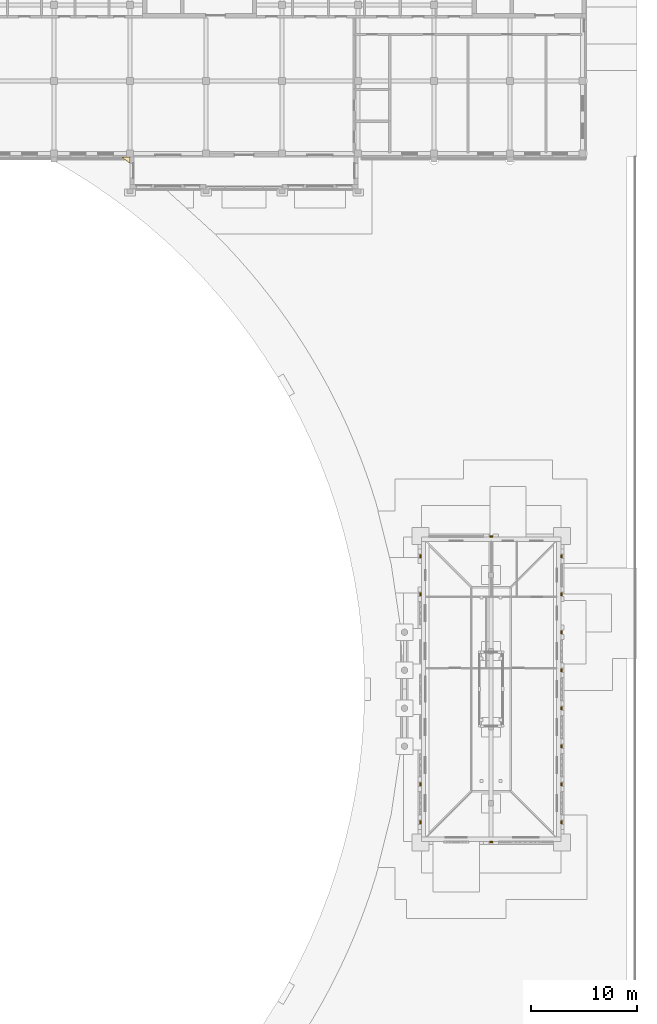
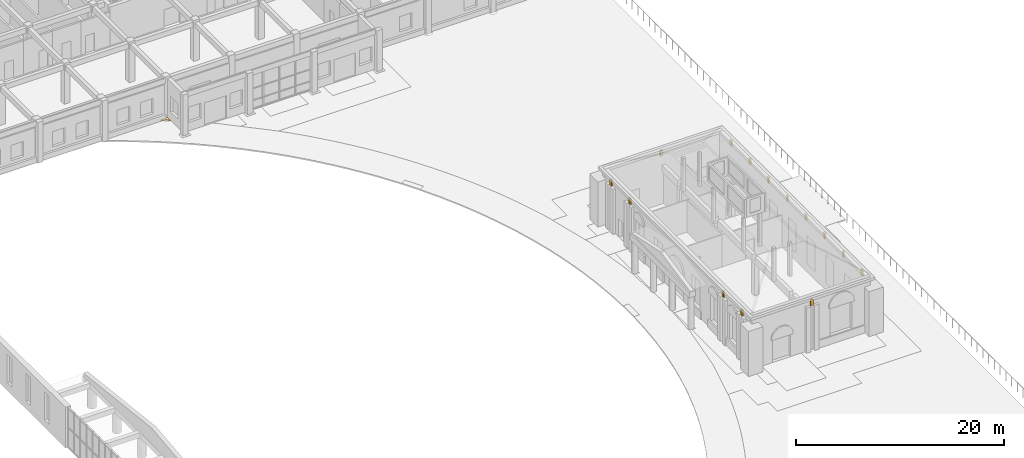
# One storey, part 131 of 131: 15 coverings.
"""IFC4 building model written with IfcOpenShell, lengths in metres."""

from ifc_helpers import new_model, si_unit, direction, frame, origin, place, context, subcontext, project, spatial, polyline, outline, extrude, material, layer, layer_set, type_object, element, save


model = new_model("IFC4")

# Units and contexts
model_context = context("Model", 3, precision=1e-05, world=origin(), true_north=direction((0.0, 1.0)))
body_context = subcontext(model_context, "Body", "Model", "MODEL_VIEW")
ifc_project = project(units=[si_unit("LENGTHUNIT", "METRE"), si_unit("AREAUNIT", "SQUARE_METRE"), si_unit("VOLUMEUNIT", "CUBIC_METRE"), si_unit("PLANEANGLEUNIT", "RADIAN"), si_unit("MASSUNIT", "GRAM", prefix="KILO")], contexts=[model_context])

# Site, building, storey
site_placement = place(None, origin())
site = spatial("IfcSite", under=ifc_project, at=site_placement, CompositionType="ELEMENT")
building_placement = place(site_placement, origin())
building = spatial("IfcBuilding", under=site, at=building_placement, Name="Alderwick Market Hall", CompositionType="ELEMENT")
storey_placement = place(building_placement, frame((0.0, 0.0, 4.800048828125)))
storey = spatial("IfcBuildingStorey", under=building, at=storey_placement, Name="L00", CompositionType="ELEMENT", Elevation=4.800048828125)

# Coverings
ifc_material_1 = material(Name="Cast stone 5000 psi", Category="masonry")
ifc_layer_1 = layer(ifc_material_1, 0.14990234375)
ifc_layer_set_1 = layer_set([ifc_layer_1], Name="Cast stone 5000 psi")
covering_type_1 = type_object("IfcCoveringType", Name="G Cornice bracket", PredefinedType="CLADDING", material=ifc_layer_set_1)
covering_1_placement = place(storey_placement, frame((0.0, 0.0, 5.300048828125)))
element("IfcCovering", 1, at=covering_1_placement, inside=storey, type_object=covering_type_1, Name="Cornice bracket W1", PredefinedType="CLADDING", context=body_context, shape_type="SweptSolid", body=[
    extrude(outline(polyline([(214.64990234375, 66.449951171875), (214.800048828125, 66.449951171875), (214.800048828125, 66.75), (214.64990234375, 66.75), (214.64990234375, 66.449951171875)])), origin(), (0.0, 0.0, 1.0), 0.699951171875),
])
covering_2_placement = place(storey_placement, frame((0.0, 0.0, 5.300048828125)))
element("IfcCovering", 2, at=covering_2_placement, inside=storey, type_object=covering_type_1, Name="Cornice bracket W2", PredefinedType="CLADDING", context=body_context, shape_type="SweptSolid", body=[
    extrude(outline(polyline([(214.64990234375, 70.050048828125), (214.800048828125, 70.050048828125), (214.800048828125, 70.35009765625), (214.64990234375, 70.35009765625), (214.64990234375, 70.050048828125)])), origin(), (0.0, 0.0, 1.0), 0.699951171875),
])
covering_3_placement = place(storey_placement, frame((0.0, 0.0, 5.300048828125)))
element("IfcCovering", 3, at=covering_3_placement, inside=storey, type_object=covering_type_1, Name="Cornice bracket W7", PredefinedType="CLADDING", context=body_context, shape_type="SweptSolid", body=[
    extrude(outline(polyline([(214.64990234375, 88.050048828125), (214.800048828125, 88.050048828125), (214.800048828125, 88.35009765625), (214.64990234375, 88.35009765625), (214.64990234375, 88.050048828125)])), origin(), (0.0, 0.0, 1.0), 0.699951171875),
])
covering_4_placement = place(storey_placement, frame((0.0, 0.0, 5.300048828125)))
element("IfcCovering", 4, at=covering_4_placement, inside=storey, type_object=covering_type_1, Name="Cornice bracket W8", PredefinedType="CLADDING", context=body_context, shape_type="SweptSolid", body=[
    extrude(outline(polyline([(214.64990234375, 91.64990234375), (214.800048828125, 91.64990234375), (214.800048828125, 91.949951171875), (214.64990234375, 91.949951171875), (214.64990234375, 91.64990234375)])), origin(), (0.0, 0.0, 1.0), 0.699951171875),
])
covering_5_placement = place(storey_placement, frame((0.0, 0.0, 5.300048828125)))
element("IfcCovering", 5, at=covering_5_placement, inside=storey, type_object=covering_type_1, Name="Cornice bracket E1", PredefinedType="CLADDING", context=body_context, shape_type="SweptSolid", body=[
    extrude(outline(polyline([(228.0, 66.449951171875), (228.14990234375, 66.449951171875), (228.14990234375, 66.75), (228.0, 66.75), (228.0, 66.449951171875)])), origin(), (0.0, 0.0, 1.0), 0.699951171875),
])
covering_6_placement = place(storey_placement, frame((0.0, 0.0, 5.300048828125)))
element("IfcCovering", 6, at=covering_6_placement, inside=storey, type_object=covering_type_1, Name="Cornice bracket E2", PredefinedType="CLADDING", context=body_context, shape_type="SweptSolid", body=[
    extrude(outline(polyline([(228.0, 70.050048828125), (228.14990234375, 70.050048828125), (228.14990234375, 70.35009765625), (228.0, 70.35009765625), (228.0, 70.050048828125)])), origin(), (0.0, 0.0, 1.0), 0.699951171875),
])
covering_7_placement = place(storey_placement, frame((0.0, 0.0, 5.300048828125)))
element("IfcCovering", 7, at=covering_7_placement, inside=storey, type_object=covering_type_1, Name="Cornice bracket E3", PredefinedType="CLADDING", context=body_context, shape_type="SweptSolid", body=[
    extrude(outline(polyline([(228.0, 73.64990234375), (228.14990234375, 73.64990234375), (228.14990234375, 73.949951171875), (228.0, 73.949951171875), (228.0, 73.64990234375)])), origin(), (0.0, 0.0, 1.0), 0.699951171875),
])
covering_8_placement = place(storey_placement, frame((0.0, 0.0, 5.300048828125)))
element("IfcCovering", 8, at=covering_8_placement, inside=storey, type_object=covering_type_1, Name="Cornice bracket E4", PredefinedType="CLADDING", context=body_context, shape_type="SweptSolid", body=[
    extrude(outline(polyline([(228.0, 77.25), (228.14990234375, 77.25), (228.14990234375, 77.550048828125), (228.0, 77.550048828125), (228.0, 77.25)])), origin(), (0.0, 0.0, 1.0), 0.699951171875),
])
covering_9_placement = place(storey_placement, frame((0.0, 0.0, 5.300048828125)))
element("IfcCovering", 9, at=covering_9_placement, inside=storey, type_object=covering_type_1, Name="Cornice bracket E5", PredefinedType="CLADDING", context=body_context, shape_type="SweptSolid", body=[
    extrude(outline(polyline([(228.0, 80.85009765625), (228.14990234375, 80.85009765625), (228.14990234375, 81.14990234375), (228.0, 81.14990234375), (228.0, 80.85009765625)])), origin(), (0.0, 0.0, 1.0), 0.699951171875),
])
covering_10_placement = place(storey_placement, frame((0.0, 0.0, 5.300048828125)))
element("IfcCovering", 10, at=covering_10_placement, inside=storey, type_object=covering_type_1, Name="Cornice bracket E6", PredefinedType="CLADDING", context=body_context, shape_type="SweptSolid", body=[
    extrude(outline(polyline([(228.0, 84.449951171875), (228.14990234375, 84.449951171875), (228.14990234375, 84.75), (228.0, 84.75), (228.0, 84.449951171875)])), origin(), (0.0, 0.0, 1.0), 0.699951171875),
])
covering_11_placement = place(storey_placement, frame((0.0, 0.0, 5.300048828125)))
element("IfcCovering", 11, at=covering_11_placement, inside=storey, type_object=covering_type_1, Name="Cornice bracket E7", PredefinedType="CLADDING", context=body_context, shape_type="SweptSolid", body=[
    extrude(outline(polyline([(228.0, 88.050048828125), (228.14990234375, 88.050048828125), (228.14990234375, 88.35009765625), (228.0, 88.35009765625), (228.0, 88.050048828125)])), origin(), (0.0, 0.0, 1.0), 0.699951171875),
])
covering_12_placement = place(storey_placement, frame((0.0, 0.0, 5.300048828125)))
element("IfcCovering", 12, at=covering_12_placement, inside=storey, type_object=covering_type_1, Name="Cornice bracket E8", PredefinedType="CLADDING", context=body_context, shape_type="SweptSolid", body=[
    extrude(outline(polyline([(228.0, 91.64990234375), (228.14990234375, 91.64990234375), (228.14990234375, 91.949951171875), (228.0, 91.949951171875), (228.0, 91.64990234375)])), origin(), (0.0, 0.0, 1.0), 0.699951171875),
])
covering_13_placement = place(storey_placement, frame((0.0, 0.0, 5.300048828125)))
element("IfcCovering", 13, at=covering_13_placement, inside=storey, type_object=covering_type_1, Name="Cornice bracket S", PredefinedType="CLADDING", context=body_context, shape_type="SweptSolid", body=[
    extrude(outline(polyline([(221.25, 64.64990234375), (221.550048828125, 64.64990234375), (221.550048828125, 64.800048828125), (221.25, 64.800048828125), (221.25, 64.64990234375)])), origin(), (0.0, 0.0, 1.0), 0.699951171875),
])
covering_14_placement = place(storey_placement, frame((0.0, 0.0, 5.300048828125)))
element("IfcCovering", 14, at=covering_14_placement, inside=storey, type_object=covering_type_1, Name="Cornice bracket N", PredefinedType="CLADDING", context=body_context, shape_type="SweptSolid", body=[
    extrude(outline(polyline([(221.25, 93.60009765625), (221.550048828125, 93.60009765625), (221.550048828125, 93.75), (221.25, 93.75), (221.25, 93.60009765625)])), origin(), (0.0, 0.0, 1.0), 0.699951171875),
])
ifc_material_2 = material(Name="Turf on topsoil")
ifc_layer_2 = layer(ifc_material_2, 0.14990234375)
ifc_layer_set_2 = layer_set([ifc_layer_2], Name="Turf on topsoil")
covering_type_2 = type_object("IfcCoveringType", Name="S Lawn Turf 150", PredefinedType="USERDEFINED", material=ifc_layer_set_2)
covering_15_placement = place(storey_placement, frame((0.0, 0.0, -0.150146484375)))
element("IfcCovering", 15, at=covering_15_placement, inside=storey, type_object=covering_type_2, Name="Lawn 15", ObjectType="LAWN", PredefinedType="USERDEFINED", context=body_context, shape_type="SweptSolid", body=[
    extrude(outline(polyline([(186.4208984375, 129.60009765625), (187.199951171875, 129.022216796875), (187.199951171875, 129.60009765625), (186.4208984375, 129.60009765625)])), origin(), (0.0, 0.0, 1.0), 0.150146484375),
])

save(model, "model.ifc")
